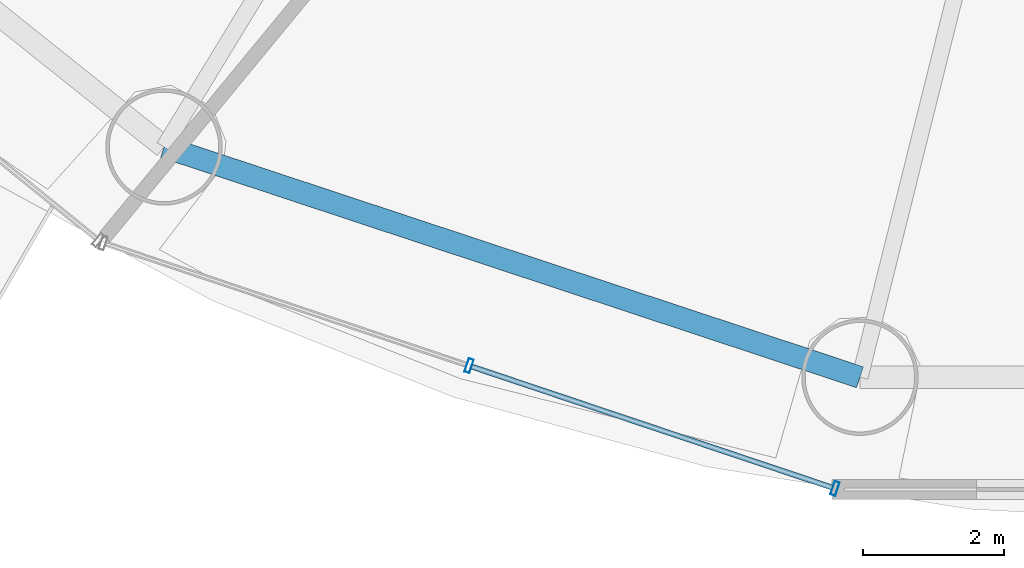
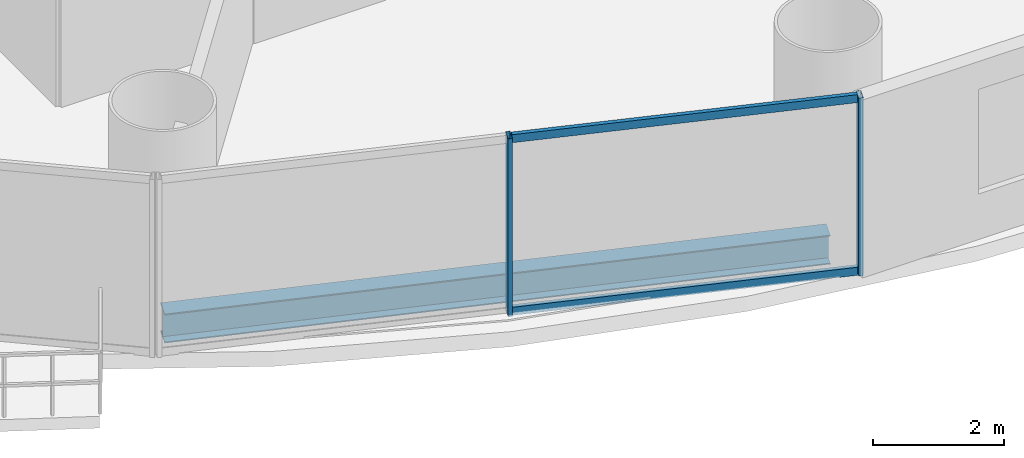
# One storey, part 4 of 28: 4 members, 1 beam, 1 element without a shape of its own.
"""IFC4 building model written with IfcOpenShell, lengths in metres."""

from ifc_helpers import new_model, si_unit, direction, frame, origin, origin_2d, place, context, subcontext, project, spatial, hollow_rectangle, i_section, extrude, source, transform, mapped, material, material_profile, profile_set, type_object, element, aggregate, save


model = new_model("IFC4")

# Units and contexts
model_context = context("Model", 3, precision=1e-05, world=origin(), true_north=direction((-0.2419218956, 0.970295726276)))
body_context = subcontext(model_context, "Body", "Model", "MODEL_VIEW")
ifc_project = project(units=[si_unit("LENGTHUNIT", "METRE"), si_unit("AREAUNIT", "SQUARE_METRE"), si_unit("VOLUMEUNIT", "CUBIC_METRE"), si_unit("PLANEANGLEUNIT", "RADIAN"), si_unit("MASSUNIT", "GRAM", prefix="KILO")], contexts=[model_context])

# Site, building, storey
site_placement = place(None, origin())
site = spatial("IfcSite", under=ifc_project, at=site_placement, CompositionType="ELEMENT")
building_placement = place(site_placement, origin())
building = spatial("IfcBuilding", under=site, at=building_placement, Name="Cobrevalo Terracotta Tower", CompositionType="ELEMENT")
storey_placement = place(building_placement, frame((0.0, 0.0, 34.800048828125)))
storey = spatial("IfcBuildingStorey", under=building, at=storey_placement, Name="L08", CompositionType="ELEMENT", Elevation=34.800048828125)

# Beam
ifc_material_1 = material(Name="Steel S355", Category="steel")
ifc_material_profile_1 = material_profile(ifc_material_1, i_section(OverallWidth=0.31201171875, OverallDepth=0.54296875, WebThickness=0.0126953125, FlangeThickness=0.020263671875, at=origin_2d()), Name="W 530x150")
ifc_profile_set_1 = profile_set([ifc_material_profile_1], Name="Steel S355")
beam_type = type_object("IfcBeamType", Name="Structural Spandrel W 530x150 (Steel S355)", PredefinedType="SPANDREL", material=ifc_profile_set_1)
beam_placement = place(storey_placement, frame((22.80517578125, 8.63232421875, -0.551513671875), z_axis=(0.949372202648, -0.314153498848, 0.0), x_axis=(0.314153498848, 0.949372202648, 0.0)))
element("IfcBeam", 1, at=beam_placement, inside=storey, type_object=beam_type, Name="L08 perimeter ring spandrel 11", PredefinedType="SPANDREL", context=body_context, shape_type="SweptSolid", body=[
    extrude(i_section(OverallWidth=0.31201171875, OverallDepth=0.54296875, WebThickness=0.0126953125, FlangeThickness=0.020263671875, at=origin_2d()), origin(), (0.0, 0.0, 1.0), 10.385009765625),
])

# Curtain wall, members
ifc_material_2 = material(Name="Anodized aluminium", Category="aluminium")
curtain_wall_type = type_object("IfcCurtainWallType", Name="Lower-tower unitised acoustic low-E curtain wall CW-U1", PredefinedType="NOTDEFINED", material=ifc_material_2)
curtain_wall_placement = place(storey_placement, origin())
curtain_wall = element("IfcCurtainWall", 2, at=curtain_wall_placement, inside=storey, type_object=curtain_wall_type, Name="L08 curtain wall CW-L08-S11", PredefinedType="NOTDEFINED")
ifc_material_profile_2 = material_profile(ifc_material_2, hollow_rectangle(XDim=0.074951171875, YDim=0.199951171875, WallThickness=0.0048828125, at=origin_2d()), Name="CWM 75x200")
ifc_profile_set_2 = profile_set([ifc_material_profile_2], Name="Anodized aluminium")
member_type_1 = type_object("IfcMemberType", Name="Lower/mid tower unitised mullion 75x200", PredefinedType="MULLION", material=ifc_profile_set_2)
shared_shape_1 = source(origin(), body_context, "Body", "SweptSolid", [
    extrude(hollow_rectangle(XDim=0.074951171875, YDim=0.199951171875, WallThickness=0.0048828125, at=origin_2d()), origin(), (0.0, 0.0, 1.0), 3.320068359375),
])
member_1_placement = place(storey_placement, frame((27.126708984375, 5.533203125, 0.0), z_axis=(0.0, 0.0, 1.0), x_axis=(0.948046393597, -0.318132103987, 0.0)))
member_1 = element("IfcMember", 3, at=member_1_placement, type_object=member_type_1, Name="CW-L08-S11 vertical mullion 02", PredefinedType="MULLION", context=body_context, shape_type="MappedRepresentation", body=[
    mapped(shared_shape_1, transform((0.0, 0.0, 0.0), scale=1.0)),
])
member_2_placement = place(storey_placement, frame((32.310302734375, 3.793701171875, 0.0), z_axis=(0.0, 0.0, 1.0), x_axis=(0.948046393597, -0.318132103987, 0.0)))
member_2 = element("IfcMember", 4, at=member_2_placement, type_object=member_type_1, Name="CW-L08-S11 vertical mullion 03", PredefinedType="MULLION", context=body_context, shape_type="MappedRepresentation", body=[
    mapped(shared_shape_1, transform((0.0, 0.0, 0.0), scale=1.0)),
])
ifc_material_profile_3 = material_profile(ifc_material_2, hollow_rectangle(XDim=0.074951171875, YDim=0.14990234375, WallThickness=0.00439453125, at=origin_2d()), Name="CWT 75x150")
ifc_profile_set_3 = profile_set([ifc_material_profile_3], Name="Anodized aluminium")
member_type_2 = type_object("IfcMemberType", Name="Tower unitised aluminium transom 75x150", PredefinedType="USERDEFINED", material=ifc_profile_set_3)
shared_shape_2 = source(origin(), body_context, "Body", "SweptSolid", [
    extrude(hollow_rectangle(XDim=0.074951171875, YDim=0.14990234375, WallThickness=0.00439453125, at=origin_2d()), origin(), (0.0, 0.0, 1.0), 5.387939453125),
])
member_3_placement = place(storey_placement, frame((27.16455078125, 5.5205078125, 0.050048828125), z_axis=(0.94804244582, -0.318143868278, 0.0), x_axis=(0.318143868278, 0.94804244582, 0.0)))
member_3 = element("IfcMember", 5, at=member_3_placement, type_object=member_type_2, Name="CW-L08-S11 transom B02-T1", ObjectType="TRANSOM", PredefinedType="USERDEFINED", context=body_context, shape_type="MappedRepresentation", body=[
    mapped(shared_shape_2, transform((0.0, 0.0, 0.0), scale=1.0)),
])
member_4_placement = place(storey_placement, frame((27.16455078125, 5.5205078125, 3.27001953125), z_axis=(0.94804244582, -0.318143868278, 0.0), x_axis=(0.318143868278, 0.94804244582, 0.0)))
member_4 = element("IfcMember", 6, at=member_4_placement, type_object=member_type_2, Name="CW-L08-S11 transom B02-T2", ObjectType="TRANSOM", PredefinedType="USERDEFINED", context=body_context, shape_type="MappedRepresentation", body=[
    mapped(shared_shape_2, transform((0.0, 0.0, 0.0), scale=1.0)),
])
aggregate(curtain_wall, [member_1, member_2, member_3, member_4])

save(model, "model.ifc")
